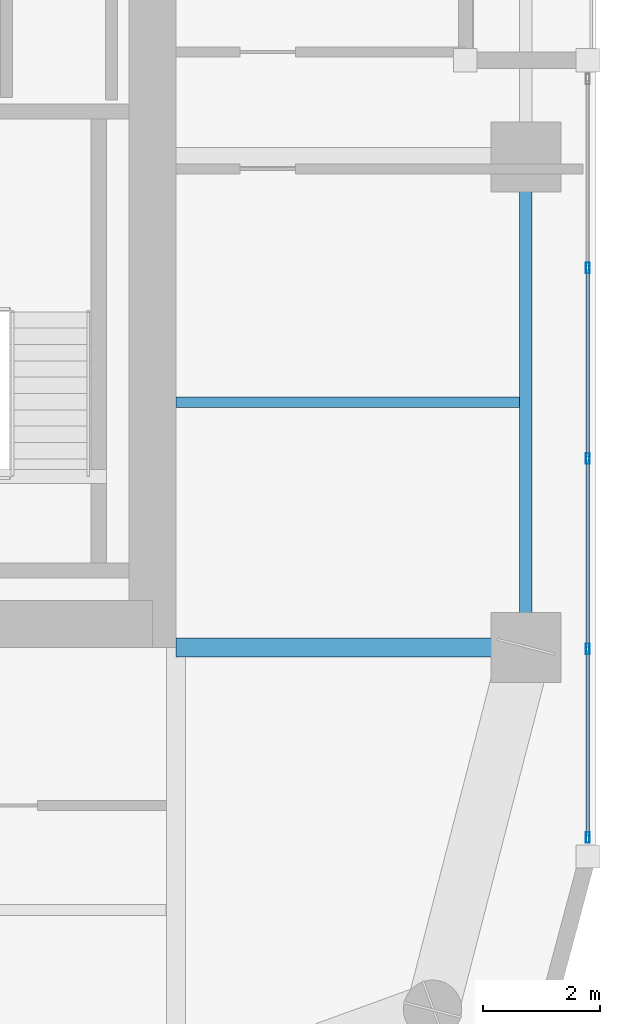
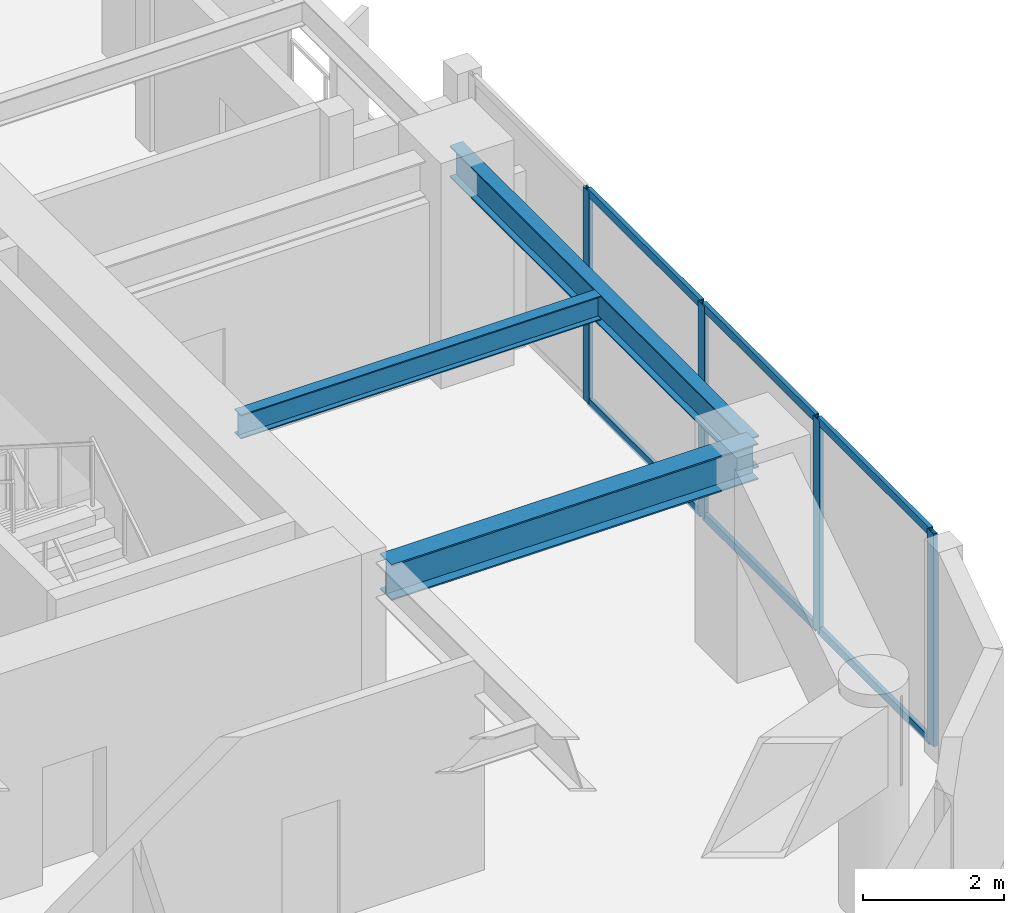
# One storey, part 9 of 30: 10 members, 3 beams, 1 element without a shape of its own.
"""IFC4 building model written with IfcOpenShell, lengths in metres."""

from ifc_helpers import new_model, si_unit, direction, frame, origin, origin_2d, place, context, subcontext, project, spatial, hollow_rectangle, i_section, extrude, material, layer, layer_set, material_profile, profile_set, type_object, element, aggregate, save


model = new_model("IFC4")

# Units and contexts
model_context = context("Model", 3, precision=1e-05, world=origin(), true_north=direction((0.0, 1.0)))
body_context = subcontext(model_context, "Body", "Model", "MODEL_VIEW")
ifc_project = project(units=[si_unit("LENGTHUNIT", "METRE"), si_unit("AREAUNIT", "SQUARE_METRE"), si_unit("VOLUMEUNIT", "CUBIC_METRE"), si_unit("PLANEANGLEUNIT", "RADIAN"), si_unit("MASSUNIT", "GRAM", prefix="KILO")], contexts=[model_context])

# Site, building, storey
site_placement = place(None, origin())
site = spatial("IfcSite", under=ifc_project, at=site_placement, CompositionType="ELEMENT")
building_placement = place(site_placement, origin())
building = spatial("IfcBuilding", under=site, at=building_placement, Name="Kiyonajd Concourse Tower", CompositionType="ELEMENT")
storey_placement = place(building_placement, frame((0.0, 0.0, 166.199951171875)))
storey = spatial("IfcBuildingStorey", under=building, at=storey_placement, Name="L42", CompositionType="ELEMENT", Elevation=166.199951171875)

# Beams
ifc_material_1 = material(Name="Steel ASTM A992 Grade 50", Category="steel")
ifc_material_profile_1 = material_profile(ifc_material_1, i_section(OverallWidth=0.180908203125, OverallDepth=0.4169921875, WebThickness=0.010986328125, FlangeThickness=0.018310546875, at=origin_2d()), Name="W410X85")
ifc_profile_set_1 = profile_set([ifc_material_profile_1], Name="Steel ASTM A992 Grade 50")
beam_type_1 = type_object("IfcBeamType", Name="BM-JST-410", PredefinedType="JOIST", material=ifc_profile_set_1)
beam_1_placement = place(storey_placement, frame((63.60009765625, 31.800048828125, 3.471435546875), z_axis=(1.0, 0.0, 0.0), x_axis=(0.0, 1.0, 0.0)))
element("IfcBeam", 1, at=beam_1_placement, inside=storey, type_object=beam_type_1, Name="L42 East Secondary Floor Joist", PredefinedType="JOIST", context=body_context, shape_type="SweptSolid", body=[
    extrude(i_section(OverallWidth=0.180908203125, OverallDepth=0.4169921875, WebThickness=0.010986328125, FlangeThickness=0.018310546875, at=origin_2d()), origin(), (0.0, 0.0, 1.0), 5.892822265625),
])
ifc_material_profile_2 = material_profile(ifc_material_1, i_section(OverallWidth=0.214111328125, OverallDepth=0.549072265625, WebThickness=0.0146484375, FlangeThickness=0.023681640625, at=origin_2d()), Name="W530X138")
ifc_profile_set_2 = profile_set([ifc_material_profile_2], Name="Steel ASTM A992 Grade 50")
beam_type_2 = type_object("IfcBeamType", Name="BM-SPAN-530A", PredefinedType="SPANDREL", material=ifc_profile_set_2)
beam_2_placement = place(storey_placement, frame((69.60009765625, 27.60009765625, 3.405517578125), z_axis=(0.0, 1.0, 0.0), x_axis=(-1.0, 0.0, 0.0)))
element("IfcBeam", 2, at=beam_2_placement, inside=storey, type_object=beam_type_2, Name="L42 Perimeter Bundled Tube Spandrel", PredefinedType="SPANDREL", context=body_context, shape_type="SweptSolid", body=[
    extrude(i_section(OverallWidth=0.214111328125, OverallDepth=0.549072265625, WebThickness=0.0146484375, FlangeThickness=0.023681640625, at=origin_2d()), origin(), (0.0, 0.0, 1.0), 8.39990234375),
])
ifc_material_profile_3 = material_profile(ifc_material_1, i_section(OverallWidth=0.326904296875, OverallDepth=0.6220703125, WebThickness=0.015380859375, FlangeThickness=0.0244140625, at=origin_2d()), Name="W610X195")
ifc_profile_set_3 = profile_set([ifc_material_profile_3], Name="Steel ASTM A992 Grade 50")
beam_type_3 = type_object("IfcBeamType", Name="BM-TWR-610A", PredefinedType="BEAM", material=ifc_profile_set_3)
beam_3_placement = place(storey_placement, frame((63.60009765625, 27.60009765625, 3.369140625), z_axis=(1.0, 0.0, 0.0), x_axis=(0.0, 1.0, 0.0)))
element("IfcBeam", 3, at=beam_3_placement, inside=storey, type_object=beam_type_3, Name="L42 East Lease Girder", PredefinedType="BEAM", context=body_context, shape_type="SweptSolid", body=[
    extrude(i_section(OverallWidth=0.326904296875, OverallDepth=0.6220703125, WebThickness=0.015380859375, FlangeThickness=0.0244140625, at=origin_2d()), origin(), (0.0, 0.0, 1.0), 6.0),
])

# Curtain wall, members
ifc_material_2 = material(Name="Thermally Broken Anodised Aluminium", Category="aluminium")
ifc_layer = layer(ifc_material_2, 0.179931640625)
ifc_layer_set = layer_set([ifc_layer], Name="Thermally Broken Anodised Aluminium")
curtain_wall_type = type_object("IfcCurtainWallType", Name="CW-SYS-03", PredefinedType="NOTDEFINED", material=ifc_layer_set)
curtain_wall_placement = place(storey_placement, origin())
curtain_wall = element("IfcCurtainWall", 4, at=curtain_wall_placement, inside=storey, type_object=curtain_wall_type, Name="L42 Unitised Curtain Wall CW3", PredefinedType="NOTDEFINED")
ifc_material_profile_4 = material_profile(ifc_material_2, hollow_rectangle(XDim=0.06494140625, YDim=0.179931640625, WallThickness=0.00390625, at=origin_2d()), Name="MULL-65x180")
ifc_profile_set_4 = profile_set([ifc_material_profile_4], Name="Thermally Broken Anodised Aluminium")
member_type_1 = type_object("IfcMemberType", Name="MB-CW-MULL1", PredefinedType="MULLION", material=ifc_profile_set_4)
member_1_placement = place(storey_placement, frame((70.659912109375, 34.1044921875, 0.0), z_axis=(0.0, 0.0, 1.0), x_axis=(1.0, 0.0, 0.0)))
member_1 = element("IfcMember", 5, at=member_1_placement, type_object=member_type_1, Name="CW3 mullion 2", PredefinedType="MULLION", context=body_context, shape_type="SweptSolid", body=[
    extrude(hollow_rectangle(XDim=0.06494140625, YDim=0.179931640625, WallThickness=0.00390625, at=origin_2d()), origin(), (0.0, 0.0, 1.0), 3.679931640625),
])
member_2_placement = place(storey_placement, frame((70.659912109375, 30.839111328125, 0.0), z_axis=(0.0, 0.0, 1.0), x_axis=(1.0, 0.0, 0.0)))
member_2 = element("IfcMember", 6, at=member_2_placement, type_object=member_type_1, Name="CW3 mullion 3", PredefinedType="MULLION", context=body_context, shape_type="SweptSolid", body=[
    extrude(hollow_rectangle(XDim=0.06494140625, YDim=0.179931640625, WallThickness=0.00390625, at=origin_2d()), origin(), (0.0, 0.0, 1.0), 3.679931640625),
])
member_3_placement = place(storey_placement, frame((70.659912109375, 27.57373046875, 0.0), z_axis=(0.0, 0.0, 1.0), x_axis=(1.0, 0.0, 0.0)))
member_3 = element("IfcMember", 7, at=member_3_placement, type_object=member_type_1, Name="CW3 mullion 4", PredefinedType="MULLION", context=body_context, shape_type="SweptSolid", body=[
    extrude(hollow_rectangle(XDim=0.06494140625, YDim=0.179931640625, WallThickness=0.00390625, at=origin_2d()), origin(), (0.0, 0.0, 1.0), 3.679931640625),
])
member_4_placement = place(storey_placement, frame((70.659912109375, 24.3408203125, 0.0), z_axis=(0.0, 0.0, 1.0), x_axis=(1.0, 0.0, 0.0)))
member_4 = element("IfcMember", 8, at=member_4_placement, type_object=member_type_1, Name="CW3 mullion 5", PredefinedType="MULLION", context=body_context, shape_type="SweptSolid", body=[
    extrude(hollow_rectangle(XDim=0.06494140625, YDim=0.179931640625, WallThickness=0.00390625, at=origin_2d()), origin(), (0.0, 0.0, 1.0), 3.679931640625),
])
ifc_material_profile_5 = material_profile(ifc_material_2, hollow_rectangle(XDim=0.06494140625, YDim=0.139892578125, WallThickness=0.00390625, at=origin_2d()), Name="TRAN-65x140")
ifc_profile_set_5 = profile_set([ifc_material_profile_5], Name="Thermally Broken Anodised Aluminium")
member_type_2 = type_object("IfcMemberType", Name="MB-CW-TRAN1", PredefinedType="USERDEFINED", material=ifc_profile_set_5)
member_5_placement = place(storey_placement, frame((70.659912109375, 34.072021484375, 0.032470703125), z_axis=(0.0, -1.0, 0.0), x_axis=(1.0, 0.0, 0.0)))
member_5 = element("IfcMember", 9, at=member_5_placement, type_object=member_type_2, Name="CW3 transom 2.1", ObjectType="TRANSOM", PredefinedType="USERDEFINED", context=body_context, shape_type="SweptSolid", body=[
    extrude(hollow_rectangle(XDim=0.06494140625, YDim=0.139892578125, WallThickness=0.00390625, at=origin_2d()), origin(), (0.0, 0.0, 1.0), 3.200439453125),
])
member_6_placement = place(storey_placement, frame((70.659912109375, 34.072021484375, 3.6474609375), z_axis=(0.0, -1.0, 0.0), x_axis=(1.0, 0.0, 0.0)))
member_6 = element("IfcMember", 10, at=member_6_placement, type_object=member_type_2, Name="CW3 transom 2.2", ObjectType="TRANSOM", PredefinedType="USERDEFINED", context=body_context, shape_type="SweptSolid", body=[
    extrude(hollow_rectangle(XDim=0.06494140625, YDim=0.139892578125, WallThickness=0.00390625, at=origin_2d()), origin(), (0.0, 0.0, 1.0), 3.200439453125),
])
member_7_placement = place(storey_placement, frame((70.659912109375, 30.806640625, 0.032470703125), z_axis=(0.0, -1.0, 0.0), x_axis=(1.0, 0.0, 0.0)))
member_7 = element("IfcMember", 11, at=member_7_placement, type_object=member_type_2, Name="CW3 transom 3.1", ObjectType="TRANSOM", PredefinedType="USERDEFINED", context=body_context, shape_type="SweptSolid", body=[
    extrude(hollow_rectangle(XDim=0.06494140625, YDim=0.139892578125, WallThickness=0.00390625, at=origin_2d()), origin(), (0.0, 0.0, 1.0), 3.200439453125),
])
member_8_placement = place(storey_placement, frame((70.659912109375, 30.806640625, 3.6474609375), z_axis=(0.0, -1.0, 0.0), x_axis=(1.0, 0.0, 0.0)))
member_8 = element("IfcMember", 12, at=member_8_placement, type_object=member_type_2, Name="CW3 transom 3.2", ObjectType="TRANSOM", PredefinedType="USERDEFINED", context=body_context, shape_type="SweptSolid", body=[
    extrude(hollow_rectangle(XDim=0.06494140625, YDim=0.139892578125, WallThickness=0.00390625, at=origin_2d()), origin(), (0.0, 0.0, 1.0), 3.200439453125),
])
member_9_placement = place(storey_placement, frame((70.659912109375, 27.541259765625, 0.032470703125), z_axis=(0.0, -1.0, 0.0), x_axis=(1.0, 0.0, 0.0)))
member_9 = element("IfcMember", 13, at=member_9_placement, type_object=member_type_2, Name="CW3 transom 4.1", ObjectType="TRANSOM", PredefinedType="USERDEFINED", context=body_context, shape_type="SweptSolid", body=[
    extrude(hollow_rectangle(XDim=0.06494140625, YDim=0.139892578125, WallThickness=0.00390625, at=origin_2d()), origin(), (0.0, 0.0, 1.0), 3.16796875),
])
member_10_placement = place(storey_placement, frame((70.659912109375, 27.541259765625, 3.6474609375), z_axis=(0.0, -1.0, 0.0), x_axis=(1.0, 0.0, 0.0)))
member_10 = element("IfcMember", 14, at=member_10_placement, type_object=member_type_2, Name="CW3 transom 4.2", ObjectType="TRANSOM", PredefinedType="USERDEFINED", context=body_context, shape_type="SweptSolid", body=[
    extrude(hollow_rectangle(XDim=0.06494140625, YDim=0.139892578125, WallThickness=0.00390625, at=origin_2d()), origin(), (0.0, 0.0, 1.0), 3.16796875),
])
aggregate(curtain_wall, [member_1, member_2, member_3, member_4, member_5, member_6, member_7, member_8, member_9, member_10])

save(model, "model.ifc")
